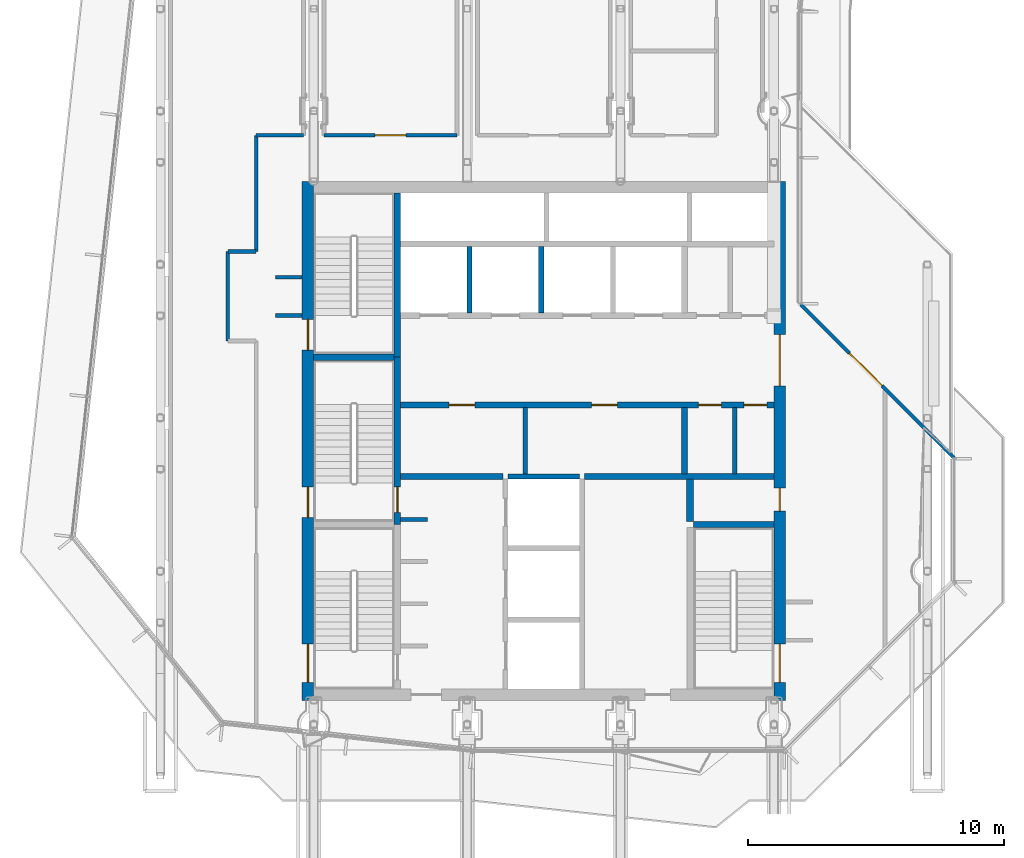
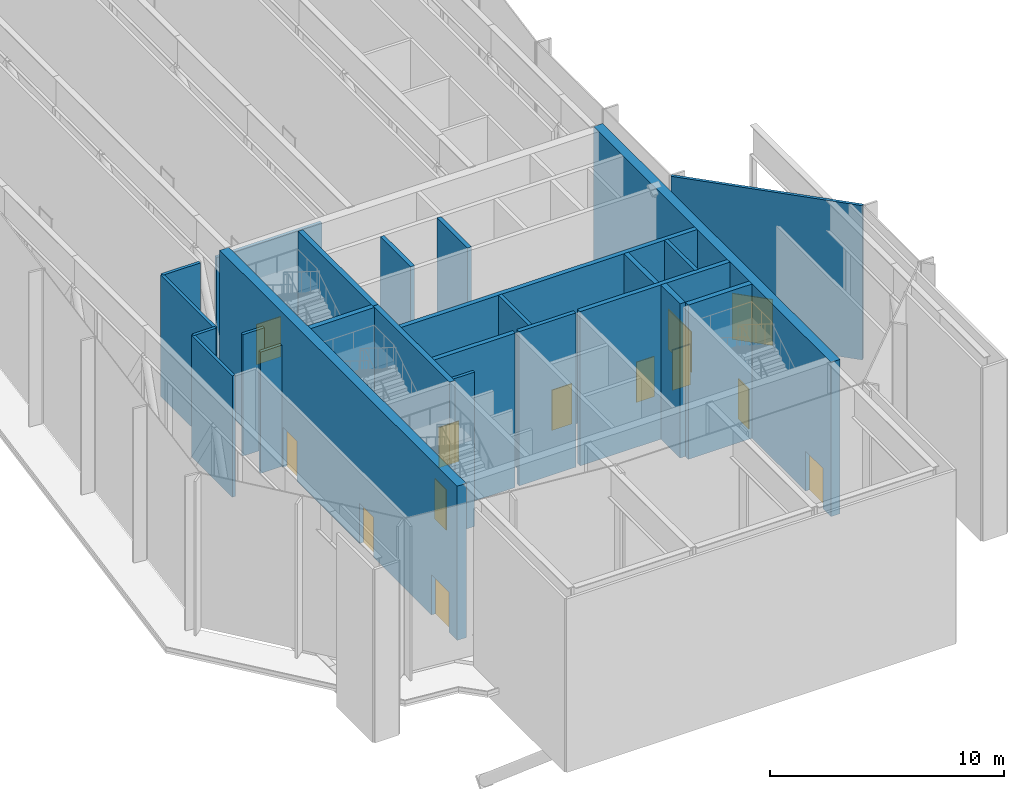
# One storey, part 12 of 21: 25 walls, 13 doors, 13 openings.
"""IFC4 building model written with IfcOpenShell, lengths in metres."""

from ifc_helpers import new_model, si_unit, direction, frame, frame_2d, origin, place, context, subcontext, project, spatial, rectangle, extrude, material, layer, layer_set, type_object, element, fill, save


model = new_model("IFC4")

# Units and contexts
model_context = context("Model", 3, precision=1e-05, world=origin(), true_north=direction((0.0, 1.0)))
body_context = subcontext(model_context, "Body", "Model", "MODEL_VIEW")
ifc_project = project(units=[si_unit("LENGTHUNIT", "METRE"), si_unit("AREAUNIT", "SQUARE_METRE"), si_unit("VOLUMEUNIT", "CUBIC_METRE"), si_unit("PLANEANGLEUNIT", "RADIAN"), si_unit("MASSUNIT", "GRAM", prefix="KILO")], contexts=[model_context])

# Site, building, storey
site_placement = place(None, origin())
site = spatial("IfcSite", under=ifc_project, at=site_placement, CompositionType="ELEMENT")
building_placement = place(site_placement, origin())
building = spatial("IfcBuilding", under=site, at=building_placement, Name="Welwitschia Terrace Campus", CompositionType="ELEMENT")
storey_placement = place(building_placement, frame((0.0, 0.0, 255.800048828125)))
storey = spatial("IfcBuildingStorey", under=building, at=storey_placement, Name="L57", CompositionType="ELEMENT", Elevation=255.800048828125)

# Wall, opening, door
ifc_material_1 = material(Name="Concrete C40/50", Category="concrete")
ifc_layer_1 = layer(ifc_material_1, 0.139892578125)
ifc_layer_set_1 = layer_set([ifc_layer_1], Name="Concrete C40/50")
wall_type_1 = type_object("IfcWallType", Name="Clad wall 140", PredefinedType="SOLIDWALL", material=ifc_layer_set_1)
wall_1_placement = place(storey_placement, frame((31.050048828125, 14.434814453125, 0.0), z_axis=(0.0, 0.0, 1.0), x_axis=(-0.707106781187, 0.707106781187, 0.0)))
wall_1 = element("IfcWall", 1, at=wall_1_placement, inside=storey, type_object=wall_type_1, Name="Clad wall L57.terrace door 0", PredefinedType="SOLIDWALL", context=body_context, shape_type="SweptSolid", body=[
    extrude(rectangle(XDim=8.4853515625, YDim=0.139892578125, at=frame_2d((4.24267578125, 0.0))), origin(), (0.0, 0.0, 1.0), 8.050048828125),
])
opening_1_placement = place(wall_1_placement, frame((3.992919921875, 0.0, 0.0)))
opening_1 = element("IfcOpeningElement", 2, at=opening_1_placement, cuts=wall_1, Name="Opening DE3", PredefinedType="OPENING", context=body_context, shape_type="SweptSolid", body=[
    extrude(rectangle(XDim=1.800048828125, YDim=2.39990234375, at=frame_2d((0.89990234375, 1.199951171875))), frame((0.0, 0.079833984375, 0.0), z_axis=(0.0, -1.0, 0.0), x_axis=(1.0, 0.0, 0.0)), (0.0, 0.0, 1.0), 0.159912109375),
])
ifc_material_2 = material(Name="Bronze anodised aluminium and glass", Category="aluminium")
door_type_1 = type_object("IfcDoorType", Name="Terrace door 1800x2400", OperationType="DOUBLE_DOOR_DOUBLE_SWING", PredefinedType="DOOR", material=ifc_material_2)
door_1_placement = place(opening_1_placement, origin())
door_1 = element("IfcDoor", 3, at=door_1_placement, inside=storey, type_object=door_type_1, Name="Door L57:T0", OperationType="DOUBLE_DOOR_DOUBLE_SWING", OverallHeight=2.39990234375, OverallWidth=1.800048828125, PredefinedType="DOOR", context=body_context, shape_type="SweptSolid", body=[
    extrude(rectangle(XDim=1.800048828125, YDim=2.39990234375, at=frame_2d((0.89990234375, 1.199951171875))), frame((0.0, 0.02490234375, 0.0), z_axis=(0.0, -1.0, 0.0), x_axis=(1.0, 0.0, 0.0)), (0.0, 0.0, 1.0), 0.050048828125),
])
fill(opening_1, door_1)

# Walls
ifc_material_3 = material(Name="Concrete C32/40", Category="concrete")
ifc_layer_2 = layer(ifc_material_3, 0.175048828125)
ifc_layer_set_2 = layer_set([ifc_layer_2], Name="Concrete C32/40")
wall_type_2 = type_object("IfcWallType", Name="Core partition 175 Concrete C32/40", PredefinedType="PARTITIONING", material=ifc_layer_set_2)
for number, where, z_axis, x_axis, name in (
    (4, (14.27490234375, 13.800048828125, 0.0), (0.0, 0.0, 1.0), (0.0, 1.0, 0.0), "Core partition"),
    (5, (22.469970703125, 13.800048828125, 0.0), (0.0, 0.0, 1.0), (0.0, 1.0, 0.0), "Core partition"),
):
    element("IfcWall", number, at=place(storey_placement, frame(where, z_axis=z_axis, x_axis=x_axis)), inside=storey, type_object=wall_type_2, Name=name, PredefinedType="PARTITIONING", context=body_context, shape_type="SweptSolid", body=[
        extrude(rectangle(XDim=2.599853515625, YDim=0.175048828125, at=frame_2d((1.2998046875, 0.0))), origin(), (0.0, 0.0, 1.0), 8.050048828125),
    ])
ifc_material_4 = material(Name="Concrete C32/40", Category="concrete")
ifc_layer_3 = layer(ifc_material_4, 0.22509765625)
ifc_layer_set_3 = layer_set([ifc_layer_3], Name="Concrete C32/40")
wall_type_3 = type_object("IfcWallType", Name="Core partition 225 Concrete C32/40", PredefinedType="PARTITIONING", material=ifc_layer_set_3)
wall_2_placement = place(storey_placement, frame((9.39990234375, 13.699951171875, 0.0), z_axis=(0.0, 0.0, 1.0), x_axis=(1.0, 0.0, 0.0)))
element("IfcWall", 6, at=wall_2_placement, inside=storey, type_object=wall_type_3, Name="Core partition", PredefinedType="PARTITIONING", context=body_context, shape_type="SweptSolid", body=[
    extrude(rectangle(XDim=4.0, YDim=0.22509765625, at=frame_2d((2.0, 0.0))), origin(), (0.0, 0.0, 1.0), 8.050048828125),
])
wall_3_placement = place(storey_placement, frame((16.60009765625, 13.699951171875, 0.0), z_axis=(0.0, 0.0, 1.0), x_axis=(1.0, 0.0, 0.0)))
element("IfcWall", 7, at=wall_3_placement, inside=storey, type_object=wall_type_3, Name="Core partition", PredefinedType="PARTITIONING", context=body_context, shape_type="SweptSolid", body=[
    extrude(rectangle(XDim=7.39990234375, YDim=0.22509765625, at=frame_2d((3.699951171875, 0.0))), origin(), (0.0, 0.0, 1.0), 8.050048828125),
])

# Wall, openings, doors
wall_4_placement = place(storey_placement, frame((9.39990234375, 16.5, 0.0), z_axis=(0.0, 0.0, 1.0), x_axis=(1.0, 0.0, 0.0)))
wall_4 = element("IfcWall", 8, at=wall_4_placement, inside=storey, type_object=wall_type_3, Name="Core partition", PredefinedType="PARTITIONING", context=body_context, shape_type="SweptSolid", body=[
    extrude(rectangle(XDim=14.60009765625, YDim=0.22509765625, at=frame_2d((7.300048828125, 0.0))), origin(), (0.0, 0.0, 1.0), 8.050048828125),
])
opening_2_placement = place(wall_4_placement, frame((1.89990234375, 0.0, 0.0)))
opening_2 = element("IfcOpeningElement", 9, at=opening_2_placement, cuts=wall_4, Name="Opening DR10", PredefinedType="OPENING", context=body_context, shape_type="SweptSolid", body=[
    extrude(rectangle(XDim=1.0, YDim=2.10009765625, at=frame_2d((0.5, 1.050048828125))), frame((0.0, 0.12255859375, 0.0), z_axis=(0.0, -1.0, 0.0), x_axis=(1.0, 0.0, 0.0)), (0.0, 0.0, 1.0), 0.2451171875),
])
opening_3_placement = place(wall_4_placement, frame((7.47509765625, 0.0, 0.0)))
opening_3 = element("IfcOpeningElement", 10, at=opening_3_placement, cuts=wall_4, Name="Opening DR10", PredefinedType="OPENING", context=body_context, shape_type="SweptSolid", body=[
    extrude(rectangle(XDim=1.0, YDim=2.10009765625, at=frame_2d((0.5, 1.050048828125))), frame((0.0, 0.12255859375, 0.0), z_axis=(0.0, -1.0, 0.0), x_axis=(1.0, 0.0, 0.0)), (0.0, 0.0, 1.0), 0.2451171875),
])
opening_4_placement = place(wall_4_placement, frame((11.6474609375, 0.0, 0.0)))
opening_4 = element("IfcOpeningElement", 11, at=opening_4_placement, cuts=wall_4, Name="Opening DR09", PredefinedType="OPENING", context=body_context, shape_type="SweptSolid", body=[
    extrude(rectangle(XDim=0.89990234375, YDim=2.10009765625, at=frame_2d((0.449951171875, 1.050048828125))), frame((0.0, 0.12255859375, 0.0), z_axis=(0.0, -1.0, 0.0), x_axis=(1.0, 0.0, 0.0)), (0.0, 0.0, 1.0), 0.2451171875),
])
opening_5_placement = place(wall_4_placement, frame((13.422607421875, 0.0, 0.0)))
opening_5 = element("IfcOpeningElement", 12, at=opening_5_placement, cuts=wall_4, Name="Opening DR09", PredefinedType="OPENING", context=body_context, shape_type="SweptSolid", body=[
    extrude(rectangle(XDim=0.89990234375, YDim=2.10009765625, at=frame_2d((0.449951171875, 1.050048828125))), frame((0.0, 0.12255859375, 0.0), z_axis=(0.0, -1.0, 0.0), x_axis=(1.0, 0.0, 0.0)), (0.0, 0.0, 1.0), 0.2451171875),
])
ifc_material_5 = material(Name="Steel S275", Category="steel")
door_type_2 = type_object("IfcDoorType", Name="Core door DR09", OperationType="SINGLE_SWING_LEFT", PredefinedType="DOOR", material=ifc_material_5)
door_2_placement = place(opening_4_placement, origin())
door_2 = element("IfcDoor", 13, at=door_2_placement, inside=storey, type_object=door_type_2, Name="Door EL1-D", OperationType="SINGLE_SWING_RIGHT", OverallHeight=2.10009765625, OverallWidth=0.89990234375, PredefinedType="DOOR", context=body_context, shape_type="SweptSolid", body=[
    extrude(rectangle(XDim=0.89990234375, YDim=2.10009765625, at=frame_2d((0.449951171875, 1.050048828125))), frame((0.0, 0.02490234375, 0.0), z_axis=(0.0, -1.0, 0.0), x_axis=(1.0, 0.0, 0.0)), (0.0, 0.0, 1.0), 0.050048828125),
])
fill(opening_4, door_2)
door_3_placement = place(opening_5_placement, origin())
door_3 = element("IfcDoor", 14, at=door_3_placement, inside=storey, type_object=door_type_2, Name="Door EL2-D", OperationType="SINGLE_SWING_RIGHT", OverallHeight=2.10009765625, OverallWidth=0.89990234375, PredefinedType="DOOR", context=body_context, shape_type="SweptSolid", body=[
    extrude(rectangle(XDim=0.89990234375, YDim=2.10009765625, at=frame_2d((0.449951171875, 1.050048828125))), frame((0.0, 0.02490234375, 0.0), z_axis=(0.0, -1.0, 0.0), x_axis=(1.0, 0.0, 0.0)), (0.0, 0.0, 1.0), 0.050048828125),
])
fill(opening_5, door_3)
ifc_material_6 = material(Name="Steel S275", Category="steel")
door_type_3 = type_object("IfcDoorType", Name="Core door DR10", OperationType="SINGLE_SWING_LEFT", PredefinedType="DOOR", material=ifc_material_6)
door_4_placement = place(opening_2_placement, origin())
door_4 = element("IfcDoor", 15, at=door_4_placement, inside=storey, type_object=door_type_3, Name="Door BAYL1-D", OperationType="SINGLE_SWING_LEFT", OverallHeight=2.10009765625, OverallWidth=1.0, PredefinedType="DOOR", context=body_context, shape_type="SweptSolid", body=[
    extrude(rectangle(XDim=1.0, YDim=2.10009765625, at=frame_2d((0.5, 1.050048828125))), frame((0.0, 0.02490234375, 0.0), z_axis=(0.0, -1.0, 0.0), x_axis=(1.0, 0.0, 0.0)), (0.0, 0.0, 1.0), 0.050048828125),
])
fill(opening_2, door_4)
door_5_placement = place(opening_3_placement, origin())
door_5 = element("IfcDoor", 16, at=door_5_placement, inside=storey, type_object=door_type_3, Name="Door BAYL2-D", OperationType="SINGLE_SWING_RIGHT", OverallHeight=2.10009765625, OverallWidth=1.0, PredefinedType="DOOR", context=body_context, shape_type="SweptSolid", body=[
    extrude(rectangle(XDim=1.0, YDim=2.10009765625, at=frame_2d((0.5, 1.050048828125))), frame((0.0, 0.02490234375, 0.0), z_axis=(0.0, -1.0, 0.0), x_axis=(1.0, 0.0, 0.0)), (0.0, 0.0, 1.0), 0.050048828125),
])
fill(opening_3, door_5)

# Walls
wall_5_placement = place(storey_placement, frame((20.5, 13.800048828125, 0.0), z_axis=(0.0, 0.0, 1.0), x_axis=(0.0, 1.0, 0.0)))
element("IfcWall", 17, at=wall_5_placement, inside=storey, type_object=wall_type_3, Name="Core partition", PredefinedType="PARTITIONING", context=body_context, shape_type="SweptSolid", body=[
    extrude(rectangle(XDim=2.599853515625, YDim=0.22509765625, at=frame_2d((1.2998046875, 0.0))), origin(), (0.0, 0.0, 1.0), 8.050048828125),
])
ifc_material_7 = material(Name="Concrete C32/40", Category="concrete")
ifc_layer_4 = layer(ifc_material_7, 0.27490234375)
ifc_layer_set_4 = layer_set([ifc_layer_4], Name="Concrete C32/40")
wall_type_4 = type_object("IfcWallType", Name="Core partition 275 Concrete C32/40", PredefinedType="PARTITIONING", material=ifc_layer_set_4)
wall_6_placement = place(storey_placement, frame((20.72509765625, 11.949951171875, 0.0), z_axis=(0.0, 0.0, 1.0), x_axis=(0.0, 1.0, 0.0)))
element("IfcWall", 18, at=wall_6_placement, inside=storey, type_object=wall_type_4, Name="Core partition", PredefinedType="PARTITIONING", context=body_context, shape_type="SweptSolid", body=[
    extrude(rectangle(XDim=1.650146484375, YDim=0.27490234375, at=frame_2d((0.8251953125, 0.0))), origin(), (0.0, 0.0, 1.0), 8.050048828125),
])
ifc_material_8 = material(Name="Concrete C50/60", Category="concrete")
ifc_layer_5 = layer(ifc_material_8, 0.14990234375)
ifc_layer_set_5 = layer_set([ifc_layer_5], Name="Concrete C50/60")
wall_type_5 = type_object("IfcWallType", Name="Core wall 150 Concrete C50/60", PredefinedType="SHEAR", material=ifc_layer_set_5)
wall_7_placement = place(storey_placement, frame((9.39990234375, 12.02490234375, 0.0), z_axis=(0.0, 0.0, 1.0), x_axis=(1.0, 0.0, 0.0)))
element("IfcWall", 19, at=wall_7_placement, inside=storey, type_object=wall_type_5, Name="Core wall", PredefinedType="SHEAR", context=body_context, shape_type="SweptSolid", body=[
    extrude(rectangle(XDim=1.050048828125, YDim=0.14990234375, at=frame_2d((0.52490234375, 0.0))), origin(), (0.0, 0.0, 1.0), 8.050048828125),
])
ifc_material_9 = material(Name="Concrete C50/60", Category="concrete")
ifc_layer_6 = layer(ifc_material_9, 0.199951171875)
ifc_layer_set_6 = layer_set([ifc_layer_6], Name="Concrete C50/60")
wall_type_6 = type_object("IfcWallType", Name="Core wall 200 Concrete C50/60", PredefinedType="SHEAR", material=ifc_layer_set_6)
wall_8_placement = place(storey_placement, frame((13.60009765625, 13.699951171875, 0.0), z_axis=(0.0, 0.0, 1.0), x_axis=(1.0, 0.0, 0.0)))
element("IfcWall", 20, at=wall_8_placement, inside=storey, type_object=wall_type_6, Name="Core wall", PredefinedType="SHEAR", context=body_context, shape_type="SweptSolid", body=[
    extrude(rectangle(XDim=2.7998046875, YDim=0.199951171875, at=frame_2d((1.39990234375, 0.0))), origin(), (0.0, 0.0, 1.0), 8.050048828125),
])
ifc_material_10 = material(Name="Concrete C50/60", Category="concrete")
ifc_layer_7 = layer(ifc_material_10, 0.25)
ifc_layer_set_7 = layer_set([ifc_layer_7], Name="Concrete C50/60")
wall_type_7 = type_object("IfcWallType", Name="Core wall 250 Concrete C50/60", PredefinedType="SHEAR", material=ifc_layer_set_7)
for number, where, z_axis, x_axis, name in (
    (21, (20.85009765625, 11.824951171875, 0.0), (0.0, 0.0, 1.0), (1.0, 0.0, 0.0), "Core wall"),
    (22, (6.0, 18.375, 0.0), (0.0, 0.0, 1.0), (1.0, 0.0, 0.0), "Core wall"),
):
    element("IfcWall", number, at=place(storey_placement, frame(where, z_axis=z_axis, x_axis=x_axis)), inside=storey, type_object=wall_type_7, Name=name, PredefinedType="SHEAR", context=body_context, shape_type="SweptSolid", body=[
        extrude(rectangle(XDim=3.14990234375, YDim=0.25, at=frame_2d((1.574951171875, 0.0))), origin(), (0.0, 0.0, 1.0), 8.050048828125),
    ])

# Wall, opening, door
wall_9_placement = place(storey_placement, frame((9.27490234375, 18.375, 0.0), z_axis=(0.0, 0.0, 1.0), x_axis=(0.0, -1.0, 0.0)))
wall_9 = element("IfcWall", 23, at=wall_9_placement, inside=storey, type_object=wall_type_7, Name="Core wall", PredefinedType="SHEAR", context=body_context, shape_type="SweptSolid", body=[
    extrude(rectangle(XDim=6.550048828125, YDim=0.25, at=frame_2d((3.27490234375, 0.0))), origin(), (0.0, 0.0, 1.0), 8.050048828125),
])
opening_6_placement = place(wall_9_placement, frame((5.074951171875, 0.0, 0.0)))
opening_6 = element("IfcOpeningElement", 24, at=opening_6_placement, cuts=wall_9, Name="Opening DS10", PredefinedType="OPENING", context=body_context, shape_type="SweptSolid", body=[
    extrude(rectangle(XDim=1.0, YDim=2.10009765625, at=frame_2d((0.5, 1.050048828125))), frame((0.0, 0.135009765625, 0.0), z_axis=(0.0, -1.0, 0.0), x_axis=(1.0, 0.0, 0.0)), (0.0, 0.0, 1.0), 0.27001953125),
])
ifc_material_11 = material(Name="Steel S275", Category="steel")
door_type_4 = type_object("IfcDoorType", Name="Core door DS10", OperationType="SINGLE_SWING_LEFT", PredefinedType="DOOR", material=ifc_material_11)
door_6_placement = place(opening_6_placement, origin())
door_6 = element("IfcDoor", 25, at=door_6_placement, inside=storey, type_object=door_type_4, Name="Door S3-FL", OperationType="SINGLE_SWING_RIGHT", OverallHeight=2.10009765625, OverallWidth=1.0, PredefinedType="DOOR", context=body_context, shape_type="SweptSolid", body=[
    extrude(rectangle(XDim=1.0, YDim=2.10009765625, at=frame_2d((0.5, 1.050048828125))), frame((0.0, 0.02490234375, 0.0), z_axis=(0.0, -1.0, 0.0), x_axis=(1.0, 0.0, 0.0)), (0.0, 0.0, 1.0), 0.050048828125),
])
fill(opening_6, door_6)

# Wall
wall_10_placement = place(storey_placement, frame((9.27490234375, 18.375, 0.0), z_axis=(0.0, 0.0, 1.0), x_axis=(0.0, 1.0, 0.0)))
element("IfcWall", 26, at=wall_10_placement, inside=storey, type_object=wall_type_7, Name="Core wall", PredefinedType="SHEAR", context=body_context, shape_type="SweptSolid", body=[
    extrude(rectangle(XDim=6.425048828125, YDim=0.25, at=frame_2d((3.21240234375, 0.0))), origin(), (0.0, 0.0, 1.0), 8.050048828125),
])

# Wall, openings, doors
ifc_material_12 = material(Name="Concrete C60/75", Category="concrete")
ifc_layer_8 = layer(ifc_material_12, 0.449951171875)
ifc_layer_set_8 = layer_set([ifc_layer_8], Name="Concrete C60/75")
wall_type_8 = type_object("IfcWallType", Name="Core wall 450 Concrete C60/75", PredefinedType="SHEAR", material=ifc_layer_set_8)
wall_11_placement = place(storey_placement, frame((5.77490234375, 4.949951171875, 0.0), z_axis=(0.0, 0.0, 1.0), x_axis=(0.0, 1.0, 0.0)))
wall_11 = element("IfcWall", 27, at=wall_11_placement, inside=storey, type_object=wall_type_8, Name="Core outer wall", PredefinedType="SHEAR", context=body_context, shape_type="SweptSolid", body=[
    extrude(rectangle(XDim=20.300048828125, YDim=0.449951171875, at=frame_2d((10.14990234375, 0.0))), origin(), (0.0, 0.0, 1.0), 8.050048828125),
])
opening_7_placement = place(wall_11_placement, frame((0.699951171875, 0.0, 0.0)))
opening_7 = element("IfcOpeningElement", 28, at=opening_7_placement, cuts=wall_11, Name="Opening DS15", PredefinedType="OPENING", context=body_context, shape_type="SweptSolid", body=[
    extrude(rectangle(XDim=1.5, YDim=2.10009765625, at=frame_2d((0.75, 1.050048828125))), frame((0.0, 0.23486328125, 0.0), z_axis=(0.0, -1.0, 0.0), x_axis=(1.0, 0.0, 0.0)), (0.0, 0.0, 1.0), 0.469970703125),
])
opening_8_placement = place(wall_11_placement, frame((7.14990234375, 0.0, 0.0)))
opening_8 = element("IfcOpeningElement", 29, at=opening_8_placement, cuts=wall_11, Name="Opening DS12", PredefinedType="OPENING", context=body_context, shape_type="SweptSolid", body=[
    extrude(rectangle(XDim=1.199951171875, YDim=2.10009765625, at=frame_2d((0.60009765625, 1.050048828125))), frame((0.0, 0.23486328125, 0.0), z_axis=(0.0, -1.0, 0.0), x_axis=(1.0, 0.0, 0.0)), (0.0, 0.0, 1.0), 0.469970703125),
])
opening_9_placement = place(wall_11_placement, frame((13.699951171875, 0.0, 0.0)))
opening_9 = element("IfcOpeningElement", 30, at=opening_9_placement, cuts=wall_11, Name="Opening DS12", PredefinedType="OPENING", context=body_context, shape_type="SweptSolid", body=[
    extrude(rectangle(XDim=1.199951171875, YDim=2.10009765625, at=frame_2d((0.60009765625, 1.050048828125))), frame((0.0, 0.23486328125, 0.0), z_axis=(0.0, -1.0, 0.0), x_axis=(1.0, 0.0, 0.0)), (0.0, 0.0, 1.0), 0.469970703125),
])
ifc_material_13 = material(Name="Steel S275", Category="steel")
door_type_5 = type_object("IfcDoorType", Name="Core door DS12", OperationType="SINGLE_SWING_LEFT", PredefinedType="DOOR", material=ifc_material_13)
door_7_placement = place(opening_8_placement, origin())
door_7 = element("IfcDoor", 31, at=door_7_placement, inside=storey, type_object=door_type_5, Name="Door S3-out", OperationType="SINGLE_SWING_LEFT", OverallHeight=2.10009765625, OverallWidth=1.199951171875, PredefinedType="DOOR", context=body_context, shape_type="SweptSolid", body=[
    extrude(rectangle(XDim=1.199951171875, YDim=2.10009765625, at=frame_2d((0.60009765625, 1.050048828125))), frame((0.0, 0.02490234375, 0.0), z_axis=(0.0, -1.0, 0.0), x_axis=(1.0, 0.0, 0.0)), (0.0, 0.0, 1.0), 0.050048828125),
])
fill(opening_8, door_7)
door_8_placement = place(opening_9_placement, origin())
door_8 = element("IfcDoor", 32, at=door_8_placement, inside=storey, type_object=door_type_5, Name="Door S4-out", OperationType="SINGLE_SWING_RIGHT", OverallHeight=2.10009765625, OverallWidth=1.199951171875, PredefinedType="DOOR", context=body_context, shape_type="SweptSolid", body=[
    extrude(rectangle(XDim=1.199951171875, YDim=2.10009765625, at=frame_2d((0.60009765625, 1.050048828125))), frame((0.0, 0.02490234375, 0.0), z_axis=(0.0, -1.0, 0.0), x_axis=(1.0, 0.0, 0.0)), (0.0, 0.0, 1.0), 0.050048828125),
])
fill(opening_9, door_8)
ifc_material_14 = material(Name="Steel S275", Category="steel")
door_type_6 = type_object("IfcDoorType", Name="Core door DS15", OperationType="DOUBLE_DOOR_SINGLE_SWING", PredefinedType="DOOR", material=ifc_material_14)
door_9_placement = place(opening_7_placement, origin())
door_9 = element("IfcDoor", 33, at=door_9_placement, inside=storey, type_object=door_type_6, Name="Door S1-out", OperationType="DOUBLE_DOOR_SINGLE_SWING", OverallHeight=2.10009765625, OverallWidth=1.5, PredefinedType="DOOR", context=body_context, shape_type="SweptSolid", body=[
    extrude(rectangle(XDim=1.5, YDim=2.10009765625, at=frame_2d((0.75, 1.050048828125))), frame((0.0, 0.02490234375, 0.0), z_axis=(0.0, -1.0, 0.0), x_axis=(1.0, 0.0, 0.0)), (0.0, 0.0, 1.0), 0.050048828125),
])
fill(opening_7, door_9)

wall_12_placement = place(storey_placement, frame((24.22509765625, 25.25, 0.0), z_axis=(0.0, 0.0, 1.0), x_axis=(0.0, -1.0, 0.0)))
wall_12 = element("IfcWall", 34, at=wall_12_placement, inside=storey, type_object=wall_type_8, Name="Core outer wall", PredefinedType="SHEAR", context=body_context, shape_type="SweptSolid", body=[
    extrude(rectangle(XDim=20.300048828125, YDim=0.449951171875, at=frame_2d((10.14990234375, 0.0))), origin(), (0.0, 0.0, 1.0), 8.050048828125),
])
opening_10_placement = place(wall_12_placement, frame((18.10009765625, 0.0, 0.0)))
opening_10 = element("IfcOpeningElement", 35, at=opening_10_placement, cuts=wall_12, Name="Opening DS15", PredefinedType="OPENING", context=body_context, shape_type="SweptSolid", body=[
    extrude(rectangle(XDim=1.5, YDim=2.10009765625, at=frame_2d((0.75, 1.050048828125))), frame((0.0, 0.23486328125, 0.0), z_axis=(0.0, -1.0, 0.0), x_axis=(1.0, 0.0, 0.0)), (0.0, 0.0, 1.0), 0.469970703125),
])
opening_11_placement = place(wall_12_placement, frame((12.0, 0.0, 0.0)))
opening_11 = element("IfcOpeningElement", 36, at=opening_11_placement, cuts=wall_12, Name="Opening DR09", PredefinedType="OPENING", context=body_context, shape_type="SweptSolid", body=[
    extrude(rectangle(XDim=0.89990234375, YDim=2.10009765625, at=frame_2d((0.449951171875, 1.050048828125))), frame((0.0, 0.23486328125, 0.0), z_axis=(0.0, -1.0, 0.0), x_axis=(1.0, 0.0, 0.0)), (0.0, 0.0, 1.0), 0.469970703125),
])
opening_12_placement = place(wall_12_placement, frame((6.0, 0.0, 0.0)))
opening_12 = element("IfcOpeningElement", 37, at=opening_12_placement, cuts=wall_12, Name="Opening DL20", PredefinedType="OPENING", context=body_context, shape_type="SweptSolid", body=[
    extrude(rectangle(XDim=2.0, YDim=2.10009765625, at=frame_2d((1.0, 1.050048828125))), frame((0.0, 0.23486328125, 0.0), z_axis=(0.0, -1.0, 0.0), x_axis=(1.0, 0.0, 0.0)), (0.0, 0.0, 1.0), 0.469970703125),
])
ifc_material_15 = material(Name="Steel S275", Category="steel")
door_type_7 = type_object("IfcDoorType", Name="Core door DL20", OperationType="DOUBLE_DOOR_SINGLE_SWING", PredefinedType="DOOR", material=ifc_material_15)
door_10_placement = place(opening_12_placement, origin())
door_10 = element("IfcDoor", 38, at=door_10_placement, inside=storey, type_object=door_type_7, Name="Door LOBBY-out", OperationType="DOUBLE_DOOR_SINGLE_SWING", OverallHeight=2.10009765625, OverallWidth=2.0, PredefinedType="DOOR", context=body_context, shape_type="SweptSolid", body=[
    extrude(rectangle(XDim=2.0, YDim=2.10009765625, at=frame_2d((1.0, 1.050048828125))), frame((0.0, 0.02490234375, 0.0), z_axis=(0.0, -1.0, 0.0), x_axis=(1.0, 0.0, 0.0)), (0.0, 0.0, 1.0), 0.050048828125),
])
fill(opening_12, door_10)
door_11_placement = place(opening_11_placement, origin())
door_11 = element("IfcDoor", 39, at=door_11_placement, inside=storey, type_object=door_type_2, Name="Door F1B-out", OperationType="SINGLE_SWING_RIGHT", OverallHeight=2.10009765625, OverallWidth=0.89990234375, PredefinedType="DOOR", context=body_context, shape_type="SweptSolid", body=[
    extrude(rectangle(XDim=0.89990234375, YDim=2.10009765625, at=frame_2d((0.449951171875, 1.050048828125))), frame((0.0, 0.02490234375, 0.0), z_axis=(0.0, -1.0, 0.0), x_axis=(1.0, 0.0, 0.0)), (0.0, 0.0, 1.0), 0.050048828125),
])
fill(opening_11, door_11)
door_12_placement = place(opening_10_placement, origin())
door_12 = element("IfcDoor", 40, at=door_12_placement, inside=storey, type_object=door_type_6, Name="Door S2-out", OperationType="DOUBLE_DOOR_SINGLE_SWING", OverallHeight=2.10009765625, OverallWidth=1.5, PredefinedType="DOOR", context=body_context, shape_type="SweptSolid", body=[
    extrude(rectangle(XDim=1.5, YDim=2.10009765625, at=frame_2d((0.75, 1.050048828125))), frame((0.0, 0.02490234375, 0.0), z_axis=(0.0, -1.0, 0.0), x_axis=(1.0, 0.0, 0.0)), (0.0, 0.0, 1.0), 0.050048828125),
])
fill(opening_10, door_12)

# Walls
ifc_material_16 = material(Name="Gypsum board on steel studs", Category="steel")
ifc_layer_9 = layer(ifc_material_16, 0.14990234375)
ifc_layer_set_9 = layer_set([ifc_layer_9], Name="Gypsum board on steel studs")
wall_type_9 = type_object("IfcWallType", Name="Corridor partition 150 EI 30", PredefinedType="PARTITIONING", material=ifc_layer_set_9)
wall_13_placement = place(storey_placement, frame((2.639892578125, 19.0, 0.0), z_axis=(0.0, 0.0, 1.0), x_axis=(0.0, 1.0, 0.0)))
element("IfcWall", 41, at=wall_13_placement, inside=storey, type_object=wall_type_9, Name="Partition", PredefinedType="PARTITIONING", context=body_context, shape_type="SweptSolid", body=[
    extrude(rectangle(XDim=3.5, YDim=0.14990234375, at=frame_2d((1.75, 0.0))), origin(), (0.0, 0.0, 1.0), 6.329833984375),
])
wall_14_placement = place(storey_placement, frame((2.639892578125, 22.5, 0.0), z_axis=(0.0, 0.0, 1.0), x_axis=(1.0, 0.0, 0.0)))
element("IfcWall", 42, at=wall_14_placement, inside=storey, type_object=wall_type_9, Name="Partition", PredefinedType="PARTITIONING", context=body_context, shape_type="SweptSolid", body=[
    extrude(rectangle(XDim=1.110107421875, YDim=0.14990234375, at=frame_2d((0.55517578125, 0.0))), origin(), (0.0, 0.0, 1.0), 6.329833984375),
])
wall_15_placement = place(storey_placement, frame((3.75, 22.5, 0.0), z_axis=(0.0, 0.0, 1.0), x_axis=(0.0, 1.0, 0.0)))
element("IfcWall", 43, at=wall_15_placement, inside=storey, type_object=wall_type_9, Name="Partition", PredefinedType="PARTITIONING", context=body_context, shape_type="SweptSolid", body=[
    extrude(rectangle(XDim=4.550048828125, YDim=0.14990234375, at=frame_2d((2.27490234375, 0.0))), origin(), (0.0, 0.0, 1.0), 6.329833984375),
])
wall_16_placement = place(storey_placement, frame((3.75, 27.050048828125, 0.0), z_axis=(0.0, 0.0, 1.0), x_axis=(1.0, 0.0, 0.0)))
element("IfcWall", 44, at=wall_16_placement, inside=storey, type_object=wall_type_9, Name="Partition", PredefinedType="PARTITIONING", context=body_context, shape_type="SweptSolid", body=[
    extrude(rectangle(XDim=1.85009765625, YDim=0.14990234375, at=frame_2d((0.925048828125, 0.0))), origin(), (0.0, 0.0, 1.0), 6.329833984375),
])
for number, where, z_axis, x_axis, name in (
    (45, (4.5, 20.0, 0.0), (0.0, 0.0, 1.0), (1.0, 0.0, 0.0), "Partition"),
    (46, (4.5, 21.5, 0.0), (0.0, 0.0, 1.0), (1.0, 0.0, 0.0), "Partition"),
):
    element("IfcWall", number, at=place(storey_placement, frame(where, z_axis=z_axis, x_axis=x_axis)), inside=storey, type_object=wall_type_9, Name=name, PredefinedType="PARTITIONING", context=body_context, shape_type="SweptSolid", body=[
        extrude(rectangle(XDim=1.050048828125, YDim=0.14990234375, at=frame_2d((0.52490234375, 0.0))), origin(), (0.0, 0.0, 1.0), 6.329833984375),
    ])

# Wall, opening, door
wall_17_placement = place(storey_placement, frame((6.39990234375, 27.050048828125, 0.0), z_axis=(0.0, 0.0, 1.0), x_axis=(1.0, 0.0, 0.0)))
wall_17 = element("IfcWall", 47, at=wall_17_placement, inside=storey, type_object=wall_type_9, Name="Partition", PredefinedType="PARTITIONING", context=body_context, shape_type="SweptSolid", body=[
    extrude(rectangle(XDim=5.2001953125, YDim=0.14990234375, at=frame_2d((2.60009765625, 0.0))), origin(), (0.0, 0.0, 1.0), 6.329833984375),
])
opening_13_placement = place(wall_17_placement, frame((2.0, 0.0, 0.0)))
opening_13 = element("IfcOpeningElement", 48, at=opening_13_placement, cuts=wall_17, Name="Opening DI12", PredefinedType="OPENING", context=body_context, shape_type="SweptSolid", body=[
    extrude(rectangle(XDim=1.199951171875, YDim=2.10009765625, at=frame_2d((0.60009765625, 1.050048828125))), frame((0.0, 0.0849609375, 0.0), z_axis=(0.0, -1.0, 0.0), x_axis=(1.0, 0.0, 0.0)), (0.0, 0.0, 1.0), 0.169921875),
])
ifc_material_17 = material(Name="Timber veneered door", Category="wood")
door_type_8 = type_object("IfcDoorType", Name="Interior door DI12", OperationType="NOTDEFINED", PredefinedType="DOOR", material=ifc_material_17)
door_13_placement = place(opening_13_placement, origin())
door_13 = element("IfcDoor", 49, at=door_13_placement, inside=storey, type_object=door_type_8, Name="Door L57 1033", OperationType="SINGLE_SWING_RIGHT", OverallHeight=2.10009765625, OverallWidth=1.199951171875, PredefinedType="DOOR", context=body_context, shape_type="SweptSolid", body=[
    extrude(rectangle(XDim=1.199951171875, YDim=2.10009765625, at=frame_2d((0.60009765625, 1.050048828125))), frame((0.0, 0.02490234375, 0.0), z_axis=(0.0, -1.0, 0.0), x_axis=(1.0, 0.0, 0.0)), (0.0, 0.0, 1.0), 0.050048828125),
])
fill(opening_13, door_13)

# Walls
ifc_material_18 = material(Name="Concrete C32/40", Category="concrete")
ifc_layer_10 = layer(ifc_material_18, 0.199951171875)
ifc_layer_set_10 = layer_set([ifc_layer_10], Name="Concrete C32/40")
wall_type_10 = type_object("IfcWallType", Name="Shaft wall 200 Concrete C32/40", PredefinedType="SOLIDWALL", material=ifc_layer_set_10)
for number, where, z_axis, x_axis, name in (
    (50, (12.10009765625, 20.10009765625, 0.0), (0.0, 0.0, 1.0), (0.0, 1.0, 0.0), "Shaft wall"),
    (51, (14.89990234375, 20.10009765625, 0.0), (0.0, 0.0, 1.0), (0.0, 1.0, 0.0), "Shaft wall"),
):
    element("IfcWall", number, at=place(storey_placement, frame(where, z_axis=z_axis, x_axis=x_axis)), inside=storey, type_object=wall_type_10, Name=name, PredefinedType="SOLIDWALL", context=body_context, shape_type="SweptSolid", body=[
        extrude(rectangle(XDim=2.599853515625, YDim=0.199951171875, at=frame_2d((1.2998046875, 0.0))), origin(), (0.0, 0.0, 1.0), 8.050048828125),
    ])

save(model, "model.ifc")
